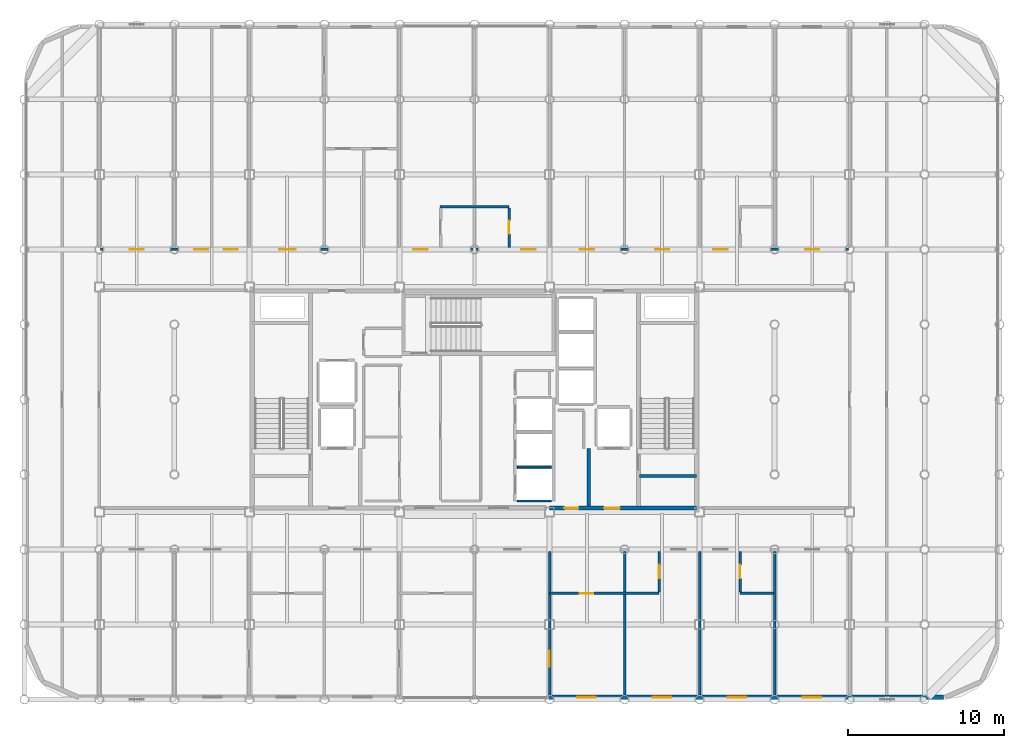
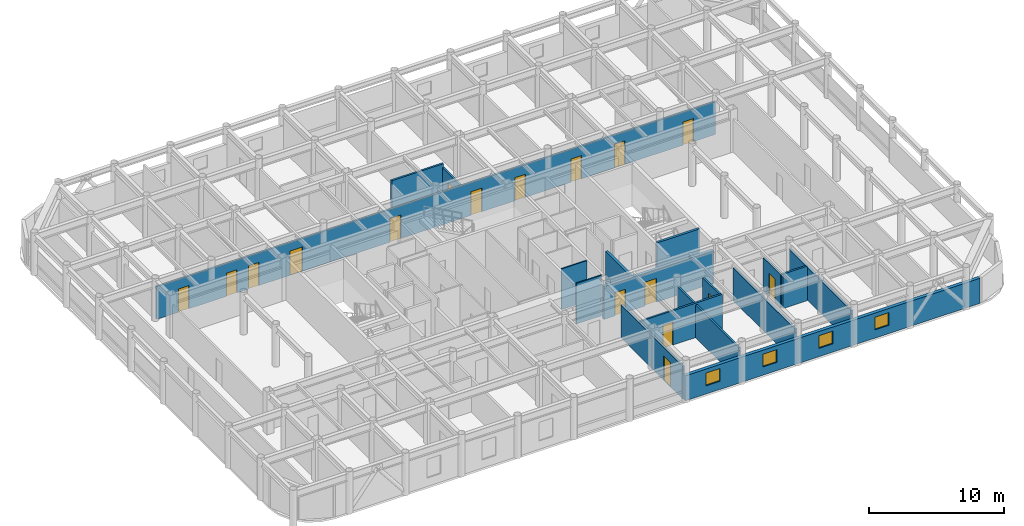
# One storey, part 20 of 23: 17 doors, 17 walls, 4 windows, 21 openings.
"""IFC4 building model written with IfcOpenShell, lengths in metres."""

from ifc_helpers import new_model, si_unit, direction, frame, frame_2d, origin, place, context, subcontext, project, spatial, rectangle, extrude, material, layer, layer_set, type_object, element, fill, save


model = new_model("IFC4")

# Units and contexts
model_context = context("Model", 3, precision=1e-05, world=origin(), true_north=direction((0.0, 1.0)))
body_context = subcontext(model_context, "Body", "Model", "MODEL_VIEW")
ifc_project = project(units=[si_unit("LENGTHUNIT", "METRE"), si_unit("AREAUNIT", "SQUARE_METRE"), si_unit("VOLUMEUNIT", "CUBIC_METRE"), si_unit("PLANEANGLEUNIT", "RADIAN"), si_unit("MASSUNIT", "GRAM", prefix="KILO")], contexts=[model_context])

# Site, building, storey
site_placement = place(None, origin())
site = spatial("IfcSite", under=ifc_project, at=site_placement, CompositionType="ELEMENT")
building_placement = place(site_placement, origin())
building = spatial("IfcBuilding", under=site, at=building_placement, Name="Kallvorn Hotel Tower", CompositionType="ELEMENT")
storey_placement = place(building_placement, frame((0.0, 0.0, 237.699951171875)))
storey = spatial("IfcBuildingStorey", under=building, at=storey_placement, Name="L59", CompositionType="ELEMENT", Elevation=237.699951171875)

# Wall, opening, door
ifc_material_1 = material(Name="Fire-rated double-layer acoustic gypsum drywall EI 60")
ifc_layer_1 = layer(ifc_material_1, 0.159912109375)
ifc_layer_set_1 = layer_set([ifc_layer_1], Name="WL_DEMISE_160")
wall_type_1 = type_object("IfcWallType", Name="WL_DEMISE_160", PredefinedType="PARTITIONING", material=ifc_layer_set_1)
wall_1_placement = place(storey_placement, frame((4.800048828125, -12.409912109375, 0.0), z_axis=(0.0, 0.0, 1.0), x_axis=(1.0, 0.0, 0.0)))
wall_1 = element("IfcWall", 1, at=wall_1_placement, inside=storey, type_object=wall_type_1, Name="L59 Suite 5903 Executive Bedroom Partition", PredefinedType="PARTITIONING", context=body_context, shape_type="SweptSolid", body=[
    extrude(rectangle(XDim=7.010009765625, YDim=0.159912109375, at=frame_2d((3.5048828125, 0.0))), origin(), (0.0, 0.0, 1.0), 3.1201171875),
])
opening_1_placement = place(wall_1_placement, frame((1.929931640625, 0.0, 0.0)))
opening_1 = element("IfcOpeningElement", 2, at=opening_1_placement, cuts=wall_1, Name="Opening BD-I", PredefinedType="OPENING", context=body_context, shape_type="SweptSolid", body=[
    extrude(rectangle(XDim=0.860107421875, YDim=2.10009765625, at=frame_2d((0.43017578125, 1.050048828125))), frame((0.0, 0.094970703125, 0.0), z_axis=(0.0, -1.0, 0.0), x_axis=(1.0, 0.0, 0.0)), (0.0, 0.0, 1.0), 0.18994140625),
])
ifc_material_2 = material(Name="Solid-core walnut veneer fire-rated timber door leaf", Category="wood")
door_type_1 = type_object("IfcDoorType", Name="DR_BATH_860x2100", OperationType="NOTDEFINED", PredefinedType="DOOR", material=ifc_material_2)
door_1_placement = place(opening_1_placement, origin())
door_1 = element("IfcDoor", 3, at=door_1_placement, inside=storey, type_object=door_type_1, Name="L59 Suite 5903 En-Suite Bathroom Door", OperationType="SINGLE_SWING_LEFT", OverallHeight=2.10009765625, OverallWidth=0.860107421875, PredefinedType="DOOR", context=body_context, shape_type="SweptSolid", body=[
    extrude(rectangle(XDim=0.860107421875, YDim=2.10009765625, at=frame_2d((0.43017578125, 1.050048828125))), frame((0.0, 0.02490234375, 0.0), z_axis=(0.0, -1.0, 0.0), x_axis=(1.0, 0.0, 0.0)), (0.0, 0.0, 1.0), 0.050048828125),
])
fill(opening_1, door_1)

# Wall
wall_2_placement = place(storey_placement, frame((16.989990234375, -12.409912109375, 0.0), z_axis=(0.0, 0.0, 1.0), x_axis=(1.0, 0.0, 0.0)))
element("IfcWall", 4, at=wall_2_placement, inside=storey, type_object=wall_type_1, Name="L59 Suite 5905 Deluxe King Room Partition", PredefinedType="PARTITIONING", context=body_context, shape_type="SweptSolid", body=[
    extrude(rectangle(XDim=2.130126953125, YDim=0.159912109375, at=frame_2d((1.06494140625, 0.0))), origin(), (0.0, 0.0, 1.0), 3.1201171875),
])

# Wall, openings, doors
wall_3_placement = place(storey_placement, frame((-23.919921875, 9.60009765625, 0.0), z_axis=(0.0, 0.0, 1.0), x_axis=(1.0, 0.0, 0.0)))
wall_3 = element("IfcWall", 5, at=wall_3_placement, inside=storey, type_object=wall_type_1, Name="L59 Suite 5906 Junior Living Salon Partition", PredefinedType="PARTITIONING", context=body_context, shape_type="SweptSolid", body=[
    extrude(rectangle(XDim=47.83984375, YDim=0.159912109375, at=frame_2d((23.919921875, 0.0))), origin(), (0.0, 0.0, 1.0), 2.969970703125),
])
opening_2_placement = place(wall_3_placement, frame((1.8701171875, 0.0, 0.0)))
opening_2 = element("IfcOpeningElement", 6, at=opening_2_placement, cuts=wall_3, Name="Opening SVD1", PredefinedType="OPENING", context=body_context, shape_type="SweptSolid", body=[
    extrude(rectangle(XDim=0.89990234375, YDim=2.10009765625, at=frame_2d((0.449951171875, 1.050048828125))), frame((0.0, 0.094970703125, 0.0), z_axis=(0.0, -1.0, 0.0), x_axis=(1.0, 0.0, 0.0)), (0.0, 0.0, 1.0), 0.18994140625),
])
opening_3_placement = place(wall_3_placement, frame((45.070068359375, 0.0, 0.0)))
opening_3 = element("IfcOpeningElement", 7, at=opening_3_placement, cuts=wall_3, Name="Opening SVD1", PredefinedType="OPENING", context=body_context, shape_type="SweptSolid", body=[
    extrude(rectangle(XDim=0.89990234375, YDim=2.10009765625, at=frame_2d((0.449951171875, 1.050048828125))), frame((0.0, 0.094970703125, 0.0), z_axis=(0.0, -1.0, 0.0), x_axis=(1.0, 0.0, 0.0)), (0.0, 0.0, 1.0), 0.18994140625),
])
opening_4_placement = place(wall_3_placement, frame((5.97998046875, 0.0, 0.0)))
opening_4 = element("IfcOpeningElement", 8, at=opening_4_placement, cuts=wall_3, Name="Opening SVD1", PredefinedType="OPENING", context=body_context, shape_type="SweptSolid", body=[
    extrude(rectangle(XDim=0.89990234375, YDim=2.10009765625, at=frame_2d((0.449951171875, 1.050048828125))), frame((0.0, 0.094970703125, 0.0), z_axis=(0.0, -1.0, 0.0), x_axis=(1.0, 0.0, 0.0)), (0.0, 0.0, 1.0), 0.18994140625),
])
opening_5_placement = place(wall_3_placement, frame((7.8701171875, 0.0, 0.0)))
opening_5 = element("IfcOpeningElement", 9, at=opening_5_placement, cuts=wall_3, Name="Opening SVD1", PredefinedType="OPENING", context=body_context, shape_type="SweptSolid", body=[
    extrude(rectangle(XDim=0.89990234375, YDim=2.10009765625, at=frame_2d((0.449951171875, 1.050048828125))), frame((0.0, 0.094970703125, 0.0), z_axis=(0.0, -1.0, 0.0), x_axis=(1.0, 0.0, 0.0)), (0.0, 0.0, 1.0), 0.18994140625),
])
opening_6_placement = place(wall_3_placement, frame((11.43505859375, 0.0, 0.0)))
opening_6 = element("IfcOpeningElement", 10, at=opening_6_placement, cuts=wall_3, Name="Opening GD2", PredefinedType="OPENING", context=body_context, shape_type="SweptSolid", body=[
    extrude(rectangle(XDim=1.050048828125, YDim=2.199951171875, at=frame_2d((0.52490234375, 1.10009765625))), frame((0.0, 0.094970703125, 0.0), z_axis=(0.0, -1.0, 0.0), x_axis=(1.0, 0.0, 0.0)), (0.0, 0.0, 1.0), 0.18994140625),
])
opening_7_placement = place(wall_3_placement, frame((19.9951171875, 0.0, 0.0)))
opening_7 = element("IfcOpeningElement", 11, at=opening_7_placement, cuts=wall_3, Name="Opening GD1", PredefinedType="OPENING", context=body_context, shape_type="SweptSolid", body=[
    extrude(rectangle(XDim=0.919921875, YDim=2.14990234375, at=frame_2d((0.4599609375, 1.074951171875))), frame((0.0, 0.094970703125, 0.0), z_axis=(0.0, -1.0, 0.0), x_axis=(1.0, 0.0, 0.0)), (0.0, 0.0, 1.0), 0.18994140625),
])
opening_8_placement = place(wall_3_placement, frame((26.925048828125, 0.0, 0.0)))
opening_8 = element("IfcOpeningElement", 12, at=opening_8_placement, cuts=wall_3, Name="Opening GD1", PredefinedType="OPENING", context=body_context, shape_type="SweptSolid", body=[
    extrude(rectangle(XDim=0.919921875, YDim=2.14990234375, at=frame_2d((0.4599609375, 1.074951171875))), frame((0.0, 0.094970703125, 0.0), z_axis=(0.0, -1.0, 0.0), x_axis=(1.0, 0.0, 0.0)), (0.0, 0.0, 1.0), 0.18994140625),
])
opening_9_placement = place(wall_3_placement, frame((30.669921875, 0.0, 0.0)))
opening_9 = element("IfcOpeningElement", 13, at=opening_9_placement, cuts=wall_3, Name="Opening SVD1", PredefinedType="OPENING", context=body_context, shape_type="SweptSolid", body=[
    extrude(rectangle(XDim=0.89990234375, YDim=2.10009765625, at=frame_2d((0.449951171875, 1.050048828125))), frame((0.0, 0.094970703125, 0.0), z_axis=(0.0, -1.0, 0.0), x_axis=(1.0, 0.0, 0.0)), (0.0, 0.0, 1.0), 0.18994140625),
])
opening_10_placement = place(wall_3_placement, frame((35.469970703125, 0.0, 0.0)))
opening_10 = element("IfcOpeningElement", 14, at=opening_10_placement, cuts=wall_3, Name="Opening SVD1", PredefinedType="OPENING", context=body_context, shape_type="SweptSolid", body=[
    extrude(rectangle(XDim=0.89990234375, YDim=2.10009765625, at=frame_2d((0.449951171875, 1.050048828125))), frame((0.0, 0.094970703125, 0.0), z_axis=(0.0, -1.0, 0.0), x_axis=(1.0, 0.0, 0.0)), (0.0, 0.0, 1.0), 0.18994140625),
])
opening_11_placement = place(wall_3_placement, frame((39.195068359375, 0.0, 0.0)))
opening_11 = element("IfcOpeningElement", 15, at=opening_11_placement, cuts=wall_3, Name="Opening GD1", PredefinedType="OPENING", context=body_context, shape_type="SweptSolid", body=[
    extrude(rectangle(XDim=0.919921875, YDim=2.14990234375, at=frame_2d((0.4599609375, 1.074951171875))), frame((0.0, 0.094970703125, 0.0), z_axis=(0.0, -1.0, 0.0), x_axis=(1.0, 0.0, 0.0)), (0.0, 0.0, 1.0), 0.18994140625),
])
ifc_material_3 = material(Name="Solid-core walnut veneer fire-rated timber door leaf", Category="wood")
door_type_2 = type_object("IfcDoorType", Name="DR_GUEST_920x2150", OperationType="NOTDEFINED", PredefinedType="DOOR", material=ifc_material_3)
door_2_placement = place(opening_7_placement, origin())
door_2 = element("IfcDoor", 16, at=door_2_placement, inside=storey, type_object=door_type_2, Name="L59 Suite 5907 Standard King Room Door", OperationType="SINGLE_SWING_LEFT", OverallHeight=2.14990234375, OverallWidth=0.919921875, PredefinedType="DOOR", context=body_context, shape_type="SweptSolid", body=[
    extrude(rectangle(XDim=0.919921875, YDim=2.14990234375, at=frame_2d((0.4599609375, 1.074951171875))), frame((0.0, 0.02490234375, 0.0), z_axis=(0.0, -1.0, 0.0), x_axis=(1.0, 0.0, 0.0)), (0.0, 0.0, 1.0), 0.050048828125),
])
fill(opening_7, door_2)
door_3_placement = place(opening_8_placement, origin())
door_3 = element("IfcDoor", 17, at=door_3_placement, inside=storey, type_object=door_type_2, Name="L59 Suite 5908 Standard King Room Door", OperationType="SINGLE_SWING_RIGHT", OverallHeight=2.14990234375, OverallWidth=0.919921875, PredefinedType="DOOR", context=body_context, shape_type="SweptSolid", body=[
    extrude(rectangle(XDim=0.919921875, YDim=2.14990234375, at=frame_2d((0.4599609375, 1.074951171875))), frame((0.0, 0.02490234375, 0.0), z_axis=(0.0, -1.0, 0.0), x_axis=(1.0, 0.0, 0.0)), (0.0, 0.0, 1.0), 0.050048828125),
])
fill(opening_8, door_3)
door_4_placement = place(opening_11_placement, origin())
door_4 = element("IfcDoor", 18, at=door_4_placement, inside=storey, type_object=door_type_2, Name="L59 Suite 5909 Standard Twin Room Door", OperationType="SINGLE_SWING_LEFT", OverallHeight=2.14990234375, OverallWidth=0.919921875, PredefinedType="DOOR", context=body_context, shape_type="SweptSolid", body=[
    extrude(rectangle(XDim=0.919921875, YDim=2.14990234375, at=frame_2d((0.4599609375, 1.074951171875))), frame((0.0, 0.02490234375, 0.0), z_axis=(0.0, -1.0, 0.0), x_axis=(1.0, 0.0, 0.0)), (0.0, 0.0, 1.0), 0.050048828125),
])
fill(opening_11, door_4)
ifc_material_4 = material(Name="Galvanised painted steel fire-rated door assembly", Category="steel")
door_type_3 = type_object("IfcDoorType", Name="DR_SERV_900x2100", OperationType="NOTDEFINED", PredefinedType="DOOR", material=ifc_material_4)
door_5_placement = place(opening_2_placement, origin())
door_5 = element("IfcDoor", 19, at=door_5_placement, inside=storey, type_object=door_type_3, Name="L59 L59 High-Zone North-West Reading Salon Door", OperationType="SINGLE_SWING_RIGHT", OverallHeight=2.10009765625, OverallWidth=0.89990234375, PredefinedType="DOOR", context=body_context, shape_type="SweptSolid", body=[
    extrude(rectangle(XDim=0.89990234375, YDim=2.10009765625, at=frame_2d((0.449951171875, 1.050048828125))), frame((0.0, 0.02490234375, 0.0), z_axis=(0.0, -1.0, 0.0), x_axis=(1.0, 0.0, 0.0)), (0.0, 0.0, 1.0), 0.050048828125),
])
fill(opening_2, door_5)
door_6_placement = place(opening_3_placement, origin())
door_6 = element("IfcDoor", 20, at=door_6_placement, inside=storey, type_object=door_type_3, Name="L59 L59 High-Zone North-East Pastry Bar Door", OperationType="SINGLE_SWING_RIGHT", OverallHeight=2.10009765625, OverallWidth=0.89990234375, PredefinedType="DOOR", context=body_context, shape_type="SweptSolid", body=[
    extrude(rectangle(XDim=0.89990234375, YDim=2.10009765625, at=frame_2d((0.449951171875, 1.050048828125))), frame((0.0, 0.02490234375, 0.0), z_axis=(0.0, -1.0, 0.0), x_axis=(1.0, 0.0, 0.0)), (0.0, 0.0, 1.0), 0.050048828125),
])
fill(opening_3, door_6)
door_7_placement = place(opening_4_placement, origin())
door_7 = element("IfcDoor", 21, at=door_7_placement, inside=storey, type_object=door_type_3, Name="L59 Housekeeping and Linen Room Door", OperationType="SINGLE_SWING_LEFT", OverallHeight=2.10009765625, OverallWidth=0.89990234375, PredefinedType="DOOR", context=body_context, shape_type="SweptSolid", body=[
    extrude(rectangle(XDim=0.89990234375, YDim=2.10009765625, at=frame_2d((0.449951171875, 1.050048828125))), frame((0.0, 0.02490234375, 0.0), z_axis=(0.0, -1.0, 0.0), x_axis=(1.0, 0.0, 0.0)), (0.0, 0.0, 1.0), 0.050048828125),
])
fill(opening_4, door_7)
door_8_placement = place(opening_5_placement, origin())
door_8 = element("IfcDoor", 22, at=door_8_placement, inside=storey, type_object=door_type_3, Name="L59 Guest Tea and Refreshment Bar Door", OperationType="SINGLE_SWING_LEFT", OverallHeight=2.10009765625, OverallWidth=0.89990234375, PredefinedType="DOOR", context=body_context, shape_type="SweptSolid", body=[
    extrude(rectangle(XDim=0.89990234375, YDim=2.10009765625, at=frame_2d((0.449951171875, 1.050048828125))), frame((0.0, 0.02490234375, 0.0), z_axis=(0.0, -1.0, 0.0), x_axis=(1.0, 0.0, 0.0)), (0.0, 0.0, 1.0), 0.050048828125),
])
fill(opening_5, door_8)
door_9_placement = place(opening_9_placement, origin())
door_9 = element("IfcDoor", 23, at=door_9_placement, inside=storey, type_object=door_type_3, Name="L59 L59 Diplomatic Summit Conference Boardroom 5-1 Door", OperationType="SINGLE_SWING_LEFT", OverallHeight=2.10009765625, OverallWidth=0.89990234375, PredefinedType="DOOR", context=body_context, shape_type="SweptSolid", body=[
    extrude(rectangle(XDim=0.89990234375, YDim=2.10009765625, at=frame_2d((0.449951171875, 1.050048828125))), frame((0.0, 0.02490234375, 0.0), z_axis=(0.0, -1.0, 0.0), x_axis=(1.0, 0.0, 0.0)), (0.0, 0.0, 1.0), 0.050048828125),
])
fill(opening_9, door_9)
door_10_placement = place(opening_10_placement, origin())
door_10 = element("IfcDoor", 24, at=door_10_placement, inside=storey, type_object=door_type_3, Name="L59 L59 Diplomatic Summit Conference Boardroom 5-2 Door", OperationType="SINGLE_SWING_RIGHT", OverallHeight=2.10009765625, OverallWidth=0.89990234375, PredefinedType="DOOR", context=body_context, shape_type="SweptSolid", body=[
    extrude(rectangle(XDim=0.89990234375, YDim=2.10009765625, at=frame_2d((0.449951171875, 1.050048828125))), frame((0.0, 0.02490234375, 0.0), z_axis=(0.0, -1.0, 0.0), x_axis=(1.0, 0.0, 0.0)), (0.0, 0.0, 1.0), 0.050048828125),
])
fill(opening_10, door_10)
ifc_material_5 = material(Name="Solid-core walnut veneer fire-rated timber door leaf", Category="wood")
door_type_4 = type_object("IfcDoorType", Name="DR_SUITE_1050x2200", OperationType="NOTDEFINED", PredefinedType="DOOR", material=ifc_material_5)
door_11_placement = place(opening_6_placement, origin())
door_11 = element("IfcDoor", 25, at=door_11_placement, inside=storey, type_object=door_type_4, Name="L59 Suite 5906 Junior Living Salon Door", OperationType="SINGLE_SWING_RIGHT", OverallHeight=2.199951171875, OverallWidth=1.050048828125, PredefinedType="DOOR", context=body_context, shape_type="SweptSolid", body=[
    extrude(rectangle(XDim=1.050048828125, YDim=2.199951171875, at=frame_2d((0.52490234375, 1.10009765625))), frame((0.0, 0.02490234375, 0.0), z_axis=(0.0, -1.0, 0.0), x_axis=(1.0, 0.0, 0.0)), (0.0, 0.0, 1.0), 0.050048828125),
])
fill(opening_6, door_11)

# Wall
wall_4_placement = place(storey_placement, frame((-2.2099609375, 12.320068359375, 0.0), z_axis=(0.0, 0.0, 1.0), x_axis=(1.0, 0.0, 0.0)))
element("IfcWall", 26, at=wall_4_placement, inside=storey, type_object=wall_type_1, Name="L59 Suite 5907 Standard King Room Partition", PredefinedType="PARTITIONING", context=body_context, shape_type="SweptSolid", body=[
    extrude(rectangle(XDim=4.419921875, YDim=0.159912109375, at=frame_2d((2.2099609375, 0.0))), origin(), (0.0, 0.0, 1.0), 3.31005859375),
])

# Wall, opening, door
wall_5_placement = place(storey_placement, frame((2.2099609375, 9.719970703125, 0.0), z_axis=(0.0, 0.0, 1.0), x_axis=(0.0, 1.0, 0.0)))
wall_5 = element("IfcWall", 27, at=wall_5_placement, inside=storey, type_object=wall_type_1, Name="L59 Suite 5908 Standard King Room Partition", PredefinedType="PARTITIONING", context=body_context, shape_type="SweptSolid", body=[
    extrude(rectangle(XDim=2.51513671875, YDim=0.159912109375, at=frame_2d((1.257568359375, 0.0))), origin(), (0.0, 0.0, 1.0), 2.969970703125),
])
opening_12_placement = place(wall_5_placement, frame((0.8701171875, 0.0, 0.0)))
opening_12 = element("IfcOpeningElement", 28, at=opening_12_placement, cuts=wall_5, Name="Opening BD-I", PredefinedType="OPENING", context=body_context, shape_type="SweptSolid", body=[
    extrude(rectangle(XDim=0.860107421875, YDim=2.10009765625, at=frame_2d((0.43017578125, 1.050048828125))), frame((0.0, 0.094970703125, 0.0), z_axis=(0.0, -1.0, 0.0), x_axis=(1.0, 0.0, 0.0)), (0.0, 0.0, 1.0), 0.18994140625),
])
door_12_placement = place(opening_12_placement, origin())
door_12 = element("IfcDoor", 29, at=door_12_placement, inside=storey, type_object=door_type_1, Name="L59 Suite 5908 En-Suite Bathroom Door", OperationType="SINGLE_SWING_RIGHT", OverallHeight=2.10009765625, OverallWidth=0.860107421875, PredefinedType="DOOR", context=body_context, shape_type="SweptSolid", body=[
    extrude(rectangle(XDim=0.860107421875, YDim=2.10009765625, at=frame_2d((0.43017578125, 1.050048828125))), frame((0.0, 0.02490234375, 0.0), z_axis=(0.0, -1.0, 0.0), x_axis=(1.0, 0.0, 0.0)), (0.0, 0.0, 1.0), 0.050048828125),
])
fill(opening_12, door_12)

wall_6_placement = place(storey_placement, frame((4.800048828125, -18.909912109375, 0.0), z_axis=(0.0, 0.0, 1.0), x_axis=(0.0, 1.0, 0.0)))
wall_6 = element("IfcWall", 30, at=wall_6_placement, inside=storey, type_object=wall_type_1, Name="L59 Suite 5903 Executive Bedroom Partition", PredefinedType="PARTITIONING", context=body_context, shape_type="SweptSolid", body=[
    extrude(rectangle(XDim=9.18994140625, YDim=0.159912109375, at=frame_2d((4.594970703125, 0.0))), origin(), (0.0, 0.0, 1.0), 2.969970703125),
])
opening_13_placement = place(wall_6_placement, frame((1.79296875, 0.0, 0.0)))
opening_13 = element("IfcOpeningElement", 31, at=opening_13_placement, cuts=wall_6, Name="Opening GD2", PredefinedType="OPENING", context=body_context, shape_type="SweptSolid", body=[
    extrude(rectangle(XDim=1.050048828125, YDim=2.199951171875, at=frame_2d((0.52490234375, 1.10009765625))), frame((0.0, 0.094970703125, 0.0), z_axis=(0.0, -1.0, 0.0), x_axis=(1.0, 0.0, 0.0)), (0.0, 0.0, 1.0), 0.18994140625),
])
door_13_placement = place(opening_13_placement, origin())
door_13 = element("IfcDoor", 32, at=door_13_placement, inside=storey, type_object=door_type_4, Name="L59 Suite 5903 Executive Bedroom Door", OperationType="SINGLE_SWING_RIGHT", OverallHeight=2.199951171875, OverallWidth=1.050048828125, PredefinedType="DOOR", context=body_context, shape_type="SweptSolid", body=[
    extrude(rectangle(XDim=1.050048828125, YDim=2.199951171875, at=frame_2d((0.52490234375, 1.10009765625))), frame((0.0, 0.02490234375, 0.0), z_axis=(0.0, -1.0, 0.0), x_axis=(1.0, 0.0, 0.0)), (0.0, 0.0, 1.0), 0.050048828125),
])
fill(opening_13, door_13)

# Wall
wall_7_placement = place(storey_placement, frame((9.60009765625, -18.909912109375, 0.0), z_axis=(0.0, 0.0, 1.0), x_axis=(0.0, 1.0, 0.0)))
element("IfcWall", 33, at=wall_7_placement, inside=storey, type_object=wall_type_1, Name="L59 Suite 5903 Executive Bedroom Partition", PredefinedType="PARTITIONING", context=body_context, shape_type="SweptSolid", body=[
    extrude(rectangle(XDim=9.18994140625, YDim=0.159912109375, at=frame_2d((4.594970703125, 0.0))), origin(), (0.0, 0.0, 1.0), 2.969970703125),
])

# Wall, opening, door
wall_8_placement = place(storey_placement, frame((11.81005859375, -12.320068359375, 0.0), z_axis=(0.0, 0.0, 1.0), x_axis=(0.0, 1.0, 0.0)))
wall_8 = element("IfcWall", 34, at=wall_8_placement, inside=storey, type_object=wall_type_1, Name="L59 Suite 5904 Deluxe King Room Partition", PredefinedType="PARTITIONING", context=body_context, shape_type="SweptSolid", body=[
    extrude(rectangle(XDim=2.60009765625, YDim=0.159912109375, at=frame_2d((1.300048828125, 0.0))), origin(), (0.0, 0.0, 1.0), 2.969970703125),
])
opening_14_placement = place(wall_8_placement, frame((0.8701171875, 0.0, 0.0)))
opening_14 = element("IfcOpeningElement", 35, at=opening_14_placement, cuts=wall_8, Name="Opening BD-I", PredefinedType="OPENING", context=body_context, shape_type="SweptSolid", body=[
    extrude(rectangle(XDim=0.860107421875, YDim=2.10009765625, at=frame_2d((0.43017578125, 1.050048828125))), frame((0.0, 0.094970703125, 0.0), z_axis=(0.0, -1.0, 0.0), x_axis=(1.0, 0.0, 0.0)), (0.0, 0.0, 1.0), 0.18994140625),
])
door_14_placement = place(opening_14_placement, origin())
door_14 = element("IfcDoor", 36, at=door_14_placement, inside=storey, type_object=door_type_1, Name="L59 Suite 5904 En-Suite Bathroom Door", OperationType="SINGLE_SWING_RIGHT", OverallHeight=2.10009765625, OverallWidth=0.860107421875, PredefinedType="DOOR", context=body_context, shape_type="SweptSolid", body=[
    extrude(rectangle(XDim=0.860107421875, YDim=2.10009765625, at=frame_2d((0.43017578125, 1.050048828125))), frame((0.0, 0.02490234375, 0.0), z_axis=(0.0, -1.0, 0.0), x_axis=(1.0, 0.0, 0.0)), (0.0, 0.0, 1.0), 0.050048828125),
])
fill(opening_14, door_14)

# Wall
wall_9_placement = place(storey_placement, frame((14.39990234375, -18.909912109375, 0.0), z_axis=(0.0, 0.0, 1.0), x_axis=(0.0, 1.0, 0.0)))
element("IfcWall", 37, at=wall_9_placement, inside=storey, type_object=wall_type_1, Name="L59 Suite 5904 Deluxe King Room Partition", PredefinedType="PARTITIONING", context=body_context, shape_type="SweptSolid", body=[
    extrude(rectangle(XDim=9.18994140625, YDim=0.159912109375, at=frame_2d((4.594970703125, 0.0))), origin(), (0.0, 0.0, 1.0), 2.969970703125),
])

# Wall, opening, door
wall_10_placement = place(storey_placement, frame((16.989990234375, -12.320068359375, 0.0), z_axis=(0.0, 0.0, 1.0), x_axis=(0.0, 1.0, 0.0)))
wall_10 = element("IfcWall", 38, at=wall_10_placement, inside=storey, type_object=wall_type_1, Name="L59 Suite 5905 Deluxe King Room Partition", PredefinedType="PARTITIONING", context=body_context, shape_type="SweptSolid", body=[
    extrude(rectangle(XDim=2.60009765625, YDim=0.159912109375, at=frame_2d((1.300048828125, 0.0))), origin(), (0.0, 0.0, 1.0), 2.969970703125),
])
opening_15_placement = place(wall_10_placement, frame((0.8701171875, 0.0, 0.0)))
opening_15 = element("IfcOpeningElement", 39, at=opening_15_placement, cuts=wall_10, Name="Opening BD-I", PredefinedType="OPENING", context=body_context, shape_type="SweptSolid", body=[
    extrude(rectangle(XDim=0.860107421875, YDim=2.10009765625, at=frame_2d((0.43017578125, 1.050048828125))), frame((0.0, 0.094970703125, 0.0), z_axis=(0.0, -1.0, 0.0), x_axis=(1.0, 0.0, 0.0)), (0.0, 0.0, 1.0), 0.18994140625),
])
door_15_placement = place(opening_15_placement, origin())
door_15 = element("IfcDoor", 40, at=door_15_placement, inside=storey, type_object=door_type_1, Name="L59 Suite 5905 En-Suite Bathroom Door", OperationType="SINGLE_SWING_LEFT", OverallHeight=2.10009765625, OverallWidth=0.860107421875, PredefinedType="DOOR", context=body_context, shape_type="SweptSolid", body=[
    extrude(rectangle(XDim=0.860107421875, YDim=2.10009765625, at=frame_2d((0.43017578125, 1.050048828125))), frame((0.0, 0.02490234375, 0.0), z_axis=(0.0, -1.0, 0.0), x_axis=(1.0, 0.0, 0.0)), (0.0, 0.0, 1.0), 0.050048828125),
])
fill(opening_15, door_15)

# Wall
wall_11_placement = place(storey_placement, frame((19.199951171875, -18.909912109375, 0.0), z_axis=(0.0, 0.0, 1.0), x_axis=(0.0, 1.0, 0.0)))
element("IfcWall", 41, at=wall_11_placement, inside=storey, type_object=wall_type_1, Name="L59 Suite 5905 Deluxe King Room Partition", PredefinedType="PARTITIONING", context=body_context, shape_type="SweptSolid", body=[
    extrude(rectangle(XDim=9.18994140625, YDim=0.159912109375, at=frame_2d((4.594970703125, 0.0))), origin(), (0.0, 0.0, 1.0), 2.969970703125),
])

# Wall, openings, windows
ifc_material_6 = material(Name="Precast basalt-clad insulated concrete wall C40/50", Category="masonry")
ifc_layer_2 = layer(ifc_material_6, 0.280029296875)
ifc_layer_set_2 = layer_set([ifc_layer_2], Name="WL_EXT_LOGGIA_280")
wall_type_2 = type_object("IfcWallType", Name="WL_EXT_LOGGIA_280", PredefinedType="SOLIDWALL", material=ifc_layer_set_2)
wall_12_placement = place(storey_placement, frame((4.75, -19.06005859375, 0.0), z_axis=(0.0, 0.0, 1.0), x_axis=(1.0, 0.0, 0.0)))
wall_12 = element("IfcWall", 42, at=wall_12_placement, inside=storey, type_object=wall_type_2, Name="L59 Exterior Envelope Wall EW-L59-SE", PredefinedType="SOLIDWALL", context=body_context, shape_type="SweptSolid", body=[
    extrude(rectangle(XDim=25.25, YDim=0.280029296875, at=frame_2d((12.625, 0.0))), origin(), (0.0, 0.0, 1.0), 2.27001953125),
])
opening_16_placement = place(wall_12_placement, frame((16.25, 0.0, 0.75)))
opening_16 = element("IfcOpeningElement", 43, at=opening_16_placement, cuts=wall_12, Name="Opening W06A", PredefinedType="OPENING", context=body_context, shape_type="SweptSolid", body=[
    extrude(rectangle(XDim=1.199951171875, YDim=1.14990234375, at=frame_2d((0.60009765625, 0.574951171875))), frame((0.0, 0.155029296875, 0.0), z_axis=(0.0, -1.0, 0.0), x_axis=(1.0, 0.0, 0.0)), (0.0, 0.0, 1.0), 0.31005859375),
])
opening_17_placement = place(wall_12_placement, frame((1.81005859375, 0.0, 0.75)))
opening_17 = element("IfcOpeningElement", 44, at=opening_17_placement, cuts=wall_12, Name="Opening W06A", PredefinedType="OPENING", context=body_context, shape_type="SweptSolid", body=[
    extrude(rectangle(XDim=1.199951171875, YDim=1.14990234375, at=frame_2d((0.60009765625, 0.574951171875))), frame((0.0, 0.155029296875, 0.0), z_axis=(0.0, -1.0, 0.0), x_axis=(1.0, 0.0, 0.0)), (0.0, 0.0, 1.0), 0.31005859375),
])
opening_18_placement = place(wall_12_placement, frame((6.64990234375, 0.0, 0.75)))
opening_18 = element("IfcOpeningElement", 45, at=opening_18_placement, cuts=wall_12, Name="Opening W06A", PredefinedType="OPENING", context=body_context, shape_type="SweptSolid", body=[
    extrude(rectangle(XDim=1.199951171875, YDim=1.14990234375, at=frame_2d((0.60009765625, 0.574951171875))), frame((0.0, 0.155029296875, 0.0), z_axis=(0.0, -1.0, 0.0), x_axis=(1.0, 0.0, 0.0)), (0.0, 0.0, 1.0), 0.31005859375),
])
opening_19_placement = place(wall_12_placement, frame((11.449951171875, 0.0, 0.75)))
opening_19 = element("IfcOpeningElement", 46, at=opening_19_placement, cuts=wall_12, Name="Opening W06A", PredefinedType="OPENING", context=body_context, shape_type="SweptSolid", body=[
    extrude(rectangle(XDim=1.199951171875, YDim=1.14990234375, at=frame_2d((0.60009765625, 0.574951171875))), frame((0.0, 0.155029296875, 0.0), z_axis=(0.0, -1.0, 0.0), x_axis=(1.0, 0.0, 0.0)), (0.0, 0.0, 1.0), 0.31005859375),
])
ifc_material_7 = material(Name="Triple-glazed low-e acoustic solar-control dark glass", Category="glass")
window_type = type_object("IfcWindowType", Name="WN_HTL_1200x1150", PartitioningType="SINGLE_PANEL", PredefinedType="WINDOW", material=ifc_material_7)
window_1_placement = place(opening_16_placement, origin())
window_1 = element("IfcWindow", 47, at=window_1_placement, inside=storey, type_object=window_type, Name="L59 Guestroom Exterior Window 01", OverallHeight=1.14990234375, OverallWidth=1.199951171875, PartitioningType="SINGLE_PANEL", PredefinedType="WINDOW", context=body_context, shape_type="SweptSolid", body=[
    extrude(rectangle(XDim=1.199951171875, YDim=1.14990234375, at=frame_2d((0.60009765625, 0.574951171875))), frame((0.0, 0.030029296875, 0.0), z_axis=(0.0, -1.0, 0.0), x_axis=(1.0, 0.0, 0.0)), (0.0, 0.0, 1.0), 0.06005859375),
])
fill(opening_16, window_1)
window_2_placement = place(opening_17_placement, origin())
window_2 = element("IfcWindow", 48, at=window_2_placement, inside=storey, type_object=window_type, Name="L59 Guestroom Exterior Window 06", OverallHeight=1.14990234375, OverallWidth=1.199951171875, PartitioningType="SINGLE_PANEL", PredefinedType="WINDOW", context=body_context, shape_type="SweptSolid", body=[
    extrude(rectangle(XDim=1.199951171875, YDim=1.14990234375, at=frame_2d((0.60009765625, 0.574951171875))), frame((0.0, 0.030029296875, 0.0), z_axis=(0.0, -1.0, 0.0), x_axis=(1.0, 0.0, 0.0)), (0.0, 0.0, 1.0), 0.06005859375),
])
fill(opening_17, window_2)
window_3_placement = place(opening_18_placement, origin())
window_3 = element("IfcWindow", 49, at=window_3_placement, inside=storey, type_object=window_type, Name="L59 Guestroom Exterior Window 07", OverallHeight=1.14990234375, OverallWidth=1.199951171875, PartitioningType="SINGLE_PANEL", PredefinedType="WINDOW", context=body_context, shape_type="SweptSolid", body=[
    extrude(rectangle(XDim=1.199951171875, YDim=1.14990234375, at=frame_2d((0.60009765625, 0.574951171875))), frame((0.0, 0.030029296875, 0.0), z_axis=(0.0, -1.0, 0.0), x_axis=(1.0, 0.0, 0.0)), (0.0, 0.0, 1.0), 0.06005859375),
])
fill(opening_18, window_3)
window_4_placement = place(opening_19_placement, origin())
window_4 = element("IfcWindow", 50, at=window_4_placement, inside=storey, type_object=window_type, Name="L59 Guestroom Exterior Window 08", OverallHeight=1.14990234375, OverallWidth=1.199951171875, PartitioningType="SINGLE_PANEL", PredefinedType="WINDOW", context=body_context, shape_type="SweptSolid", body=[
    extrude(rectangle(XDim=1.199951171875, YDim=1.14990234375, at=frame_2d((0.60009765625, 0.574951171875))), frame((0.0, 0.030029296875, 0.0), z_axis=(0.0, -1.0, 0.0), x_axis=(1.0, 0.0, 0.0)), (0.0, 0.0, 1.0), 0.06005859375),
])
fill(opening_19, window_4)

# Walls
ifc_material_8 = material(Name="Concrete C40/50", Category="concrete")
ifc_layer_3 = layer(ifc_material_8, 0.219970703125)
ifc_layer_set_3 = layer_set([ifc_layer_3], Name="WL_FFL_220")
wall_type_3 = type_object("IfcWallType", Name="WL_FFL_220", PredefinedType="SOLIDWALL", material=ifc_layer_set_3)
wall_13_placement = place(storey_placement, frame((7.300048828125, -6.820068359375, 0.0), z_axis=(0.0, 0.0, 1.0), x_axis=(0.0, 1.0, 0.0)))
element("IfcWall", 51, at=wall_13_placement, inside=storey, type_object=wall_type_3, Name="L59 Firefighting Lobby East Divider Wall", PredefinedType="SOLIDWALL", context=body_context, shape_type="SweptSolid", body=[
    extrude(rectangle(XDim=3.670166015625, YDim=0.219970703125, at=frame_2d((1.8349609375, 0.0))), origin(), (0.0, 0.0, 1.0), 2.969970703125),
])
ifc_material_9 = material(Name="Concrete C40/50", Category="concrete")
ifc_layer_4 = layer(ifc_material_9, 0.199951171875)
ifc_layer_set_4 = layer_set([ifc_layer_4], Name="WL_HOIST_200")
wall_type_4 = type_object("IfcWallType", Name="WL_HOIST_200", PredefinedType="SOLIDWALL", material=ifc_layer_set_4)
wall_14_placement = place(storey_placement, frame((10.550048828125, -4.89990234375, -0.179931640625), z_axis=(0.0, 0.0, 1.0), x_axis=(1.0, 0.0, 0.0)))
element("IfcWall", 52, at=wall_14_placement, inside=storey, type_object=wall_type_4, Name="L59 Stair ST2 South Wall", PredefinedType="SOLIDWALL", context=body_context, shape_type="SweptSolid", body=[
    extrude(rectangle(XDim=3.64990234375, YDim=0.199951171875, at=frame_2d((1.824951171875, 0.0))), origin(), (0.0, 0.0, 1.0), 3.85009765625),
])
ifc_material_10 = material(Name="Fire-rated double-layer acoustic gypsum drywall EI 60")
ifc_layer_5 = layer(ifc_material_10, 0.1201171875)
ifc_layer_set_5 = layer_set([ifc_layer_5], Name="WL_INT_120")
wall_type_5 = type_object("IfcWallType", Name="WL_INT_120", PredefinedType="PARTITIONING", material=ifc_layer_set_5)
for number, where, z_axis, x_axis, name in (
    (53, (2.739990234375, -6.5, 0.0), (0.0, 0.0, 1.0), (1.0, 0.0, 0.0), "L59 Lift Bank B3A South Closure Wall"),
    (54, (2.739990234375, -4.324951171875, 0.0), (0.0, 0.0, 1.0), (1.0, 0.0, 0.0), "L59 PL-09 Hoistway Divider"),
):
    element("IfcWall", number, at=place(storey_placement, frame(where, z_axis=z_axis, x_axis=x_axis)), inside=storey, type_object=wall_type_5, Name=name, PredefinedType="PARTITIONING", context=body_context, shape_type="SweptSolid", body=[
        extrude(rectangle(XDim=2.169921875, YDim=0.1201171875, at=frame_2d((1.0849609375, 0.0))), origin(), (0.0, 0.0, 1.0), 3.670166015625),
    ])

# Wall, openings, doors
ifc_material_11 = material(Name="Concrete C40/50", Category="concrete")
ifc_layer_6 = layer(ifc_material_11, 0.25)
ifc_layer_set_6 = layer_set([ifc_layer_6], Name="WL_SHAFT_250")
wall_type_6 = type_object("IfcWallType", Name="WL_SHAFT_250", PredefinedType="SOLIDWALL", material=ifc_layer_set_6)
wall_15_placement = place(storey_placement, frame((4.800048828125, -6.949951171875, 0.0), z_axis=(0.0, 0.0, 1.0), x_axis=(1.0, 0.0, 0.0)))
wall_15 = element("IfcWall", 55, at=wall_15_placement, inside=storey, type_object=wall_type_6, Name="L59 Core South-East Wall", PredefinedType="SOLIDWALL", context=body_context, shape_type="SweptSolid", body=[
    extrude(rectangle(XDim=9.39990234375, YDim=0.25, at=frame_2d((4.699951171875, 0.0))), origin(), (0.0, 0.0, 1.0), 2.969970703125),
])
opening_20_placement = place(wall_15_placement, frame((3.5, 0.0, 0.0)))
opening_20 = element("IfcOpeningElement", 56, at=opening_20_placement, cuts=wall_15, Name="Opening FD1", PredefinedType="OPENING", context=body_context, shape_type="SweptSolid", body=[
    extrude(rectangle(XDim=1.0, YDim=2.14990234375, at=frame_2d((0.5, 1.074951171875))), frame((0.0, 0.139892578125, 0.0), z_axis=(0.0, -1.0, 0.0), x_axis=(1.0, 0.0, 0.0)), (0.0, 0.0, 1.0), 0.280029296875),
])
opening_21_placement = place(wall_15_placement, frame((0.949951171875, 0.0, 0.0)))
opening_21 = element("IfcOpeningElement", 57, at=opening_21_placement, cuts=wall_15, Name="Opening SVD1", PredefinedType="OPENING", context=body_context, shape_type="SweptSolid", body=[
    extrude(rectangle(XDim=0.89990234375, YDim=2.10009765625, at=frame_2d((0.449951171875, 1.050048828125))), frame((0.0, 0.139892578125, 0.0), z_axis=(0.0, -1.0, 0.0), x_axis=(1.0, 0.0, 0.0)), (0.0, 0.0, 1.0), 0.280029296875),
])
ifc_material_12 = material(Name="Galvanised painted steel fire-rated door assembly", Category="steel")
door_type_5 = type_object("IfcDoorType", Name="DR_FFL_1000x2150", OperationType="NOTDEFINED", PredefinedType="DOOR", material=ifc_material_12)
door_16_placement = place(opening_20_placement, origin())
door_16 = element("IfcDoor", 58, at=door_16_placement, inside=storey, type_object=door_type_5, Name="L59 Firefighting Lobby East Door", OperationType="SINGLE_SWING_LEFT", OverallHeight=2.14990234375, OverallWidth=1.0, PredefinedType="DOOR", context=body_context, shape_type="SweptSolid", body=[
    extrude(rectangle(XDim=1.0, YDim=2.14990234375, at=frame_2d((0.5, 1.074951171875))), frame((0.0, 0.02490234375, 0.0), z_axis=(0.0, -1.0, 0.0), x_axis=(1.0, 0.0, 0.0)), (0.0, 0.0, 1.0), 0.050048828125),
])
fill(opening_20, door_16)
door_17_placement = place(opening_21_placement, origin())
door_17 = element("IfcDoor", 59, at=door_17_placement, inside=storey, type_object=door_type_3, Name="L59 Core Utility and Meter Room Door", OperationType="SINGLE_SWING_RIGHT", OverallHeight=2.10009765625, OverallWidth=0.89990234375, PredefinedType="DOOR", context=body_context, shape_type="SweptSolid", body=[
    extrude(rectangle(XDim=0.89990234375, YDim=2.10009765625, at=frame_2d((0.449951171875, 1.050048828125))), frame((0.0, 0.02490234375, 0.0), z_axis=(0.0, -1.0, 0.0), x_axis=(1.0, 0.0, 0.0)), (0.0, 0.0, 1.0), 0.050048828125),
])
fill(opening_21, door_17)

save(model, "model.ifc")
